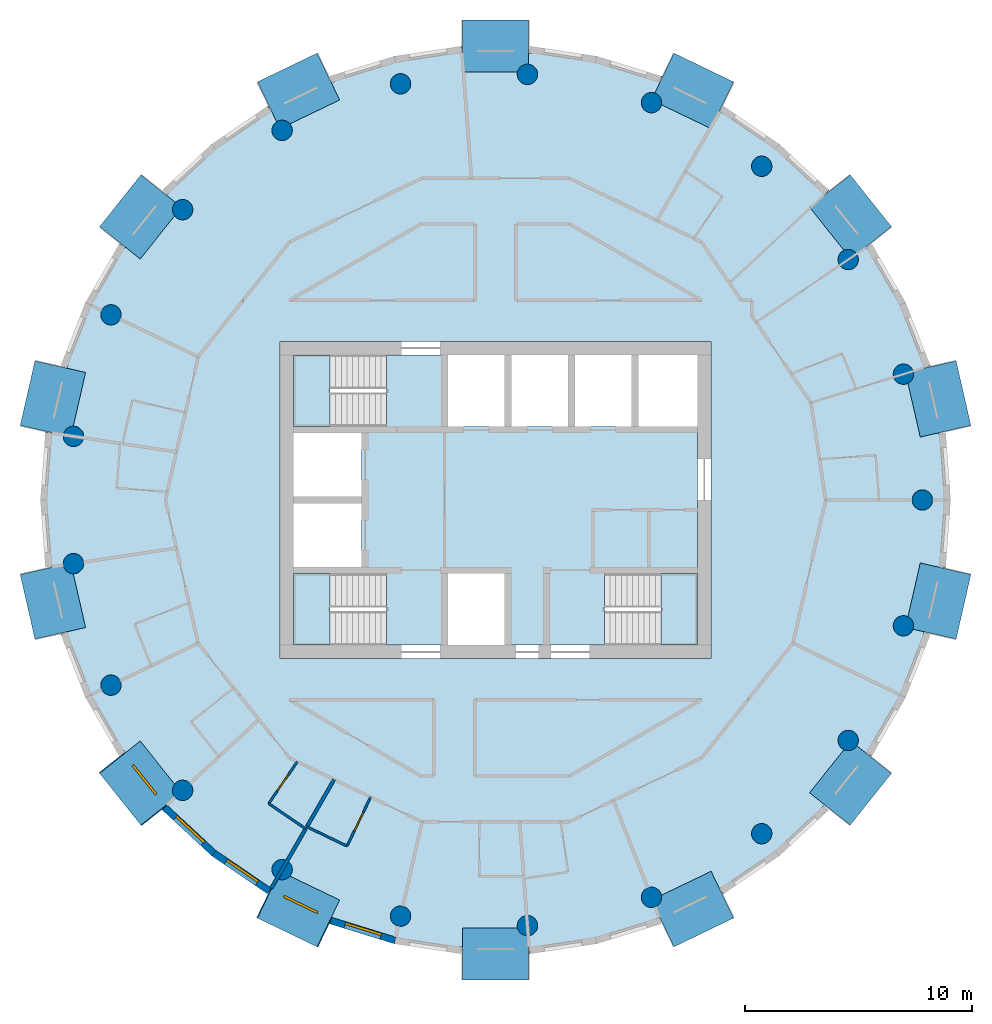
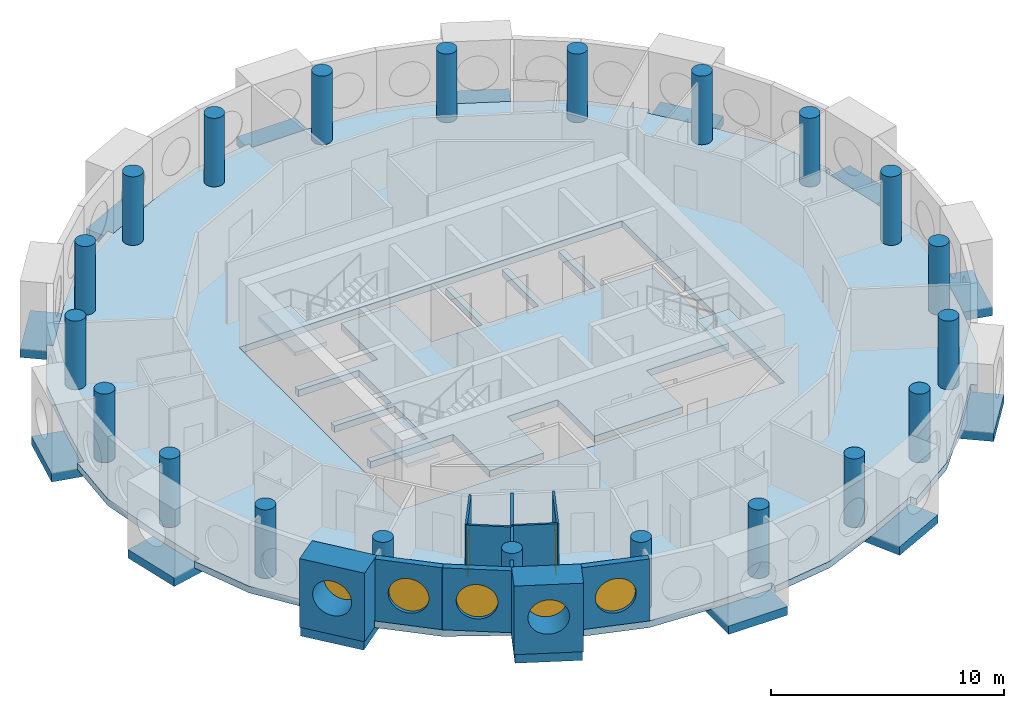
# One storey, part 1 of 12: 21 columns, 14 beams, 11 walls, 5 slabs, 5 windows, 2 doors, 7 openings, 3 elements without a shape of their own.
"""IFC4 building model written with IfcOpenShell, lengths in metres."""

from ifc_helpers import new_model, si_unit, direction, frame, frame_2d, origin, origin_2d, place, context, subcontext, project, spatial, polyline, rectangle, circle, outline, extrude, material, layer, layer_set, material_profile, profile_set, type_object, element, fill, aggregate, save


model = new_model("IFC4")

# Units and contexts
model_context = context("Model", 3, precision=1e-05, world=origin(), true_north=direction((0.0, 1.0)))
body_context = subcontext(model_context, "Body", "Model", "MODEL_VIEW")
ifc_project = project(units=[si_unit("LENGTHUNIT", "METRE"), si_unit("AREAUNIT", "SQUARE_METRE"), si_unit("VOLUMEUNIT", "CUBIC_METRE"), si_unit("PLANEANGLEUNIT", "RADIAN"), si_unit("MASSUNIT", "GRAM", prefix="KILO")], contexts=[model_context])

# Site, building, storey
site_placement = place(None, origin())
site = spatial("IfcSite", under=ifc_project, at=site_placement, CompositionType="ELEMENT")
building_placement = place(site_placement, origin())
building = spatial("IfcBuilding", under=site, at=building_placement, Name="Tracery Tower", CompositionType="ELEMENT")
storey_placement = place(building_placement, frame((0.0, 0.0, 283.800048828125)))
storey = spatial("IfcBuildingStorey", under=building, at=storey_placement, Name="L73", CompositionType="ELEMENT", Elevation=283.800048828125)

# Columns
ifc_material_1 = material(Name="Concrete C40/50", Category="concrete")
ifc_material_profile_1 = material_profile(ifc_material_1, circle(Radius=0.449951171875, at=origin_2d()), Name="RC D900")
ifc_profile_set_1 = profile_set([ifc_material_profile_1], Name="Concrete C40/50")
column_type = type_object("IfcColumnType", Name="Ring 2 column 900", PredefinedType="COLUMN", material=ifc_profile_set_1)
for number, where, z_axis, x_axis, name in (
    (1, (18.822265625, 0.0, 0.0), (0.0, 0.0, 1.0), (1.0, 0.0, 0.0), "Ring 2 column 00 at L73"),
    (2, (17.986083984375, 5.5478515625, 0.0), (0.0, 0.0, 1.0), (1.0, 0.0, 0.0), "Ring 2 column 01 at L73"),
    (3, (15.551513671875, 10.602783203125, 0.0), (0.0, 0.0, 1.0), (1.0, 0.0, 0.0), "Ring 2 column 02 at L73"),
    (4, (11.7353515625, 14.7158203125, 0.0), (0.0, 0.0, 1.0), (1.0, 0.0, 0.0), "Ring 2 column 03 at L73"),
    (5, (6.87646484375, 17.52099609375, 0.0), (0.0, 0.0, 1.0), (1.0, 0.0, 0.0), "Ring 2 column 04 at L73"),
    (6, (1.406494140625, 18.76953125, 0.0), (0.0, 0.0, 1.0), (1.0, 0.0, 0.0), "Ring 2 column 05 at L73"),
    (7, (-4.188232421875, 18.350341796875, 0.0), (0.0, 0.0, 1.0), (1.0, 0.0, 0.0), "Ring 2 column 06 at L73"),
    (8, (-9.4111328125, 16.300537109375, 0.0), (0.0, 0.0, 1.0), (1.0, 0.0, 0.0), "Ring 2 column 07 at L73"),
    (9, (-13.797607421875, 12.802490234375, 0.0), (0.0, 0.0, 1.0), (1.0, 0.0, 0.0), "Ring 2 column 08 at L73"),
    (10, (-16.958251953125, 8.16650390625, 0.0), (0.0, 0.0, 1.0), (1.0, 0.0, 0.0), "Ring 2 column 09 at L73"),
    (11, (-18.612060546875, 2.805419921875, 0.0), (0.0, 0.0, 1.0), (1.0, 0.0, 0.0), "Ring 2 column 10 at L73"),
    (12, (-18.612060546875, -2.805419921875, 0.0), (0.0, 0.0, 1.0), (1.0, 0.0, 0.0), "Ring 2 column 11 at L73"),
    (13, (-16.958251953125, -8.166748046875, 0.0), (0.0, 0.0, 1.0), (1.0, 0.0, 0.0), "Ring 2 column 12 at L73"),
    (14, (-13.797607421875, -12.80224609375, 0.0), (0.0, 0.0, 1.0), (1.0, 0.0, 0.0), "Ring 2 column 13 at L73"),
    (15, (-9.4111328125, -16.300537109375, 0.0), (0.0, 0.0, 1.0), (1.0, 0.0, 0.0), "Ring 2 column 14 at L73"),
    (16, (-4.188232421875, -18.350341796875, 0.0), (0.0, 0.0, 1.0), (1.0, 0.0, 0.0), "Ring 2 column 15 at L73"),
    (17, (1.406494140625, -18.76953125, 0.0), (0.0, 0.0, 1.0), (1.0, 0.0, 0.0), "Ring 2 column 16 at L73"),
    (18, (6.87646484375, -17.52099609375, 0.0), (0.0, 0.0, 1.0), (1.0, 0.0, 0.0), "Ring 2 column 17 at L73"),
    (19, (11.7353515625, -14.7158203125, 0.0), (0.0, 0.0, 1.0), (1.0, 0.0, 0.0), "Ring 2 column 18 at L73"),
    (20, (15.551513671875, -10.602783203125, 0.0), (0.0, 0.0, 1.0), (1.0, 0.0, 0.0), "Ring 2 column 19 at L73"),
    (21, (17.986083984375, -5.5478515625, 0.0), (0.0, 0.0, 1.0), (1.0, 0.0, 0.0), "Ring 2 column 20 at L73"),
):
    element("IfcColumn", number, at=place(storey_placement, frame(where, z_axis=z_axis, x_axis=x_axis)), inside=storey, type_object=column_type, Name=name, PredefinedType="COLUMN", context=body_context, shape_type="SweptSolid", body=[
        extrude(circle(Radius=0.449951171875, at=origin_2d()), origin(), (0.0, 0.0, 1.0), 3.599853515625),
    ])

# Beams
ifc_material_2 = material(Name="Concrete C40/50", Category="concrete")
ifc_material_profile_2 = material_profile(ifc_material_2, rectangle(XDim=2.2900390625, YDim=0.449951171875, at=origin_2d()), Name="RC 2290x450")
ifc_profile_set_2 = profile_set([ifc_material_profile_2], Name="Concrete C40/50")
beam_type = type_object("IfcBeamType", Name="Bay seat beam 2290 x 450", PredefinedType="BEAM", material=ifc_profile_set_2)
for number, where, z_axis, x_axis, name in (
    (22, (19.843994140625, 3.03173828125, -0.574951171875), (-0.222495588924, 0.974933696674, 0.0), (-0.974933696674, -0.222495588924, 0.0), "Bay seat beam 2 at L73"),
    (23, (16.5634765625, 11.341552734375, -0.574951171875), (-0.623480926504, 0.781838560244, 0.0), (-0.781838560244, -0.623480926504, 0.0), "Bay seat beam 5 at L73"),
):
    element("IfcBeam", number, at=place(storey_placement, frame(where, z_axis=z_axis, x_axis=x_axis)), inside=storey, type_object=beam_type, Name=name, PredefinedType="BEAM", context=body_context, shape_type="SweptSolid", body=[
        extrude(rectangle(XDim=2.2900390625, YDim=0.449951171875, at=origin_2d()), origin(), (0.0, 0.0, 1.0), 2.919921875),
    ])
beam_1_placement = place(storey_placement, frame((10.002197265625, 17.40478515625, -0.574951171875), z_axis=(-0.900950828926, 0.433921195446, 0.0), x_axis=(-0.433921195446, -0.900950828926, 0.0)))
element("IfcBeam", 24, at=beam_1_placement, inside=storey, type_object=beam_type, Name="Bay seat beam 8 at L73", PredefinedType="BEAM", context=body_context, shape_type="SweptSolid", body=[
    extrude(rectangle(XDim=2.2900390625, YDim=0.449951171875, at=origin_2d()), origin(), (0.0, 0.0, 1.0), 2.920166015625),
])
beam_2_placement = place(storey_placement, frame((1.4599609375, 20.02099609375, -0.574951171875), z_axis=(-1.0, 0.0, 0.0), x_axis=(0.0, -1.0, 0.0)))
element("IfcBeam", 25, at=beam_2_placement, inside=storey, type_object=beam_type, Name="Bay seat beam 11 at L73", PredefinedType="BEAM", context=body_context, shape_type="SweptSolid", body=[
    extrude(rectangle(XDim=2.2900390625, YDim=0.449951171875, at=origin_2d()), origin(), (0.0, 0.0, 1.0), 2.919921875),
])
beam_3_placement = place(storey_placement, frame((-7.371337890625, 18.671875, -0.574951171875), z_axis=(-0.900950828926, -0.433921195446, 0.0), x_axis=(0.433921195446, -0.900950828926, 0.0)))
element("IfcBeam", 26, at=beam_3_placement, inside=storey, type_object=beam_type, Name="Bay seat beam 14 at L73", PredefinedType="BEAM", context=body_context, shape_type="SweptSolid", body=[
    extrude(rectangle(XDim=2.2900390625, YDim=0.449951171875, at=origin_2d()), origin(), (0.0, 0.0, 1.0), 2.920166015625),
])
for number, where, z_axis, x_axis, name in (
    (27, (-14.742919921875, 13.62451171875, -0.574951171875), (-0.623480926504, -0.781838560244, 0.0), (0.781838560244, -0.623480926504, 0.0), "Bay seat beam 17 at L73"),
    (28, (-19.1943359375, 5.87841796875, -0.574951171875), (-0.222495588924, -0.974933696674, 0.0), (0.974933696674, -0.222495588924, 0.0), "Bay seat beam 20 at L73"),
    (29, (-19.843994140625, -3.03173828125, -0.574951171875), (0.222495588924, -0.974933696674, 0.0), (0.974933696674, 0.222495588924, 0.0), "Bay seat beam 23 at L73"),
    (30, (-16.5634765625, -11.341552734375, -0.574951171875), (0.623480926504, -0.781838560244, 0.0), (0.781838560244, 0.623480926504, 0.0), "Bay seat beam 26 at L73"),
):
    element("IfcBeam", number, at=place(storey_placement, frame(where, z_axis=z_axis, x_axis=x_axis)), inside=storey, type_object=beam_type, Name=name, PredefinedType="BEAM", context=body_context, shape_type="SweptSolid", body=[
        extrude(rectangle(XDim=2.2900390625, YDim=0.449951171875, at=origin_2d()), origin(), (0.0, 0.0, 1.0), 2.919921875),
    ])
beam_4_placement = place(storey_placement, frame((-10.002197265625, -17.40478515625, -0.574951171875), z_axis=(0.900950828926, -0.433921195446, 0.0), x_axis=(0.433921195446, 0.900950828926, 0.0)))
element("IfcBeam", 31, at=beam_4_placement, inside=storey, type_object=beam_type, Name="Bay seat beam 29 at L73", PredefinedType="BEAM", context=body_context, shape_type="SweptSolid", body=[
    extrude(rectangle(XDim=2.2900390625, YDim=0.449951171875, at=origin_2d()), origin(), (0.0, 0.0, 1.0), 2.920166015625),
])
beam_5_placement = place(storey_placement, frame((-1.4599609375, -20.02099609375, -0.574951171875), z_axis=(1.0, 0.0, 0.0), x_axis=(0.0, 1.0, 0.0)))
element("IfcBeam", 32, at=beam_5_placement, inside=storey, type_object=beam_type, Name="Bay seat beam 32 at L73", PredefinedType="BEAM", context=body_context, shape_type="SweptSolid", body=[
    extrude(rectangle(XDim=2.2900390625, YDim=0.449951171875, at=origin_2d()), origin(), (0.0, 0.0, 1.0), 2.919921875),
])
beam_6_placement = place(storey_placement, frame((7.371337890625, -18.671875, -0.574951171875), z_axis=(0.900950828926, 0.433921195446, 0.0), x_axis=(-0.433921195446, 0.900950828926, 0.0)))
element("IfcBeam", 33, at=beam_6_placement, inside=storey, type_object=beam_type, Name="Bay seat beam 35 at L73", PredefinedType="BEAM", context=body_context, shape_type="SweptSolid", body=[
    extrude(rectangle(XDim=2.2900390625, YDim=0.449951171875, at=origin_2d()), origin(), (0.0, 0.0, 1.0), 2.920166015625),
])
for number, where, z_axis, x_axis, name in (
    (34, (14.742919921875, -13.62451171875, -0.574951171875), (0.623480926504, 0.781838560244, 0.0), (-0.781838560244, 0.623480926504, 0.0), "Bay seat beam 38 at L73"),
    (35, (19.1943359375, -5.87841796875, -0.574951171875), (0.222495588924, 0.974933696674, 0.0), (-0.974933696674, 0.222495588924, 0.0), "Bay seat beam 41 at L73"),
):
    element("IfcBeam", number, at=place(storey_placement, frame(where, z_axis=z_axis, x_axis=x_axis)), inside=storey, type_object=beam_type, Name=name, PredefinedType="BEAM", context=body_context, shape_type="SweptSolid", body=[
        extrude(rectangle(XDim=2.2900390625, YDim=0.449951171875, at=origin_2d()), origin(), (0.0, 0.0, 1.0), 2.919921875),
    ])

# Slabs
ifc_material_3 = material(Name="Concrete C40/50", Category="concrete")
ifc_layer_1 = layer(ifc_material_3, 0.35009765625)
ifc_layer_set_1 = layer_set([ifc_layer_1], Name="Core floor slab 350 C40")
slab_type_1 = type_object("IfcSlabType", Name="Core floor slab 350 C40", PredefinedType="FLOOR", material=ifc_layer_set_1)
slab_1_placement = place(storey_placement, frame((0.0, 0.0, -0.35009765625)))
element("IfcSlab", 36, at=slab_1_placement, inside=storey, type_object=slab_type_1, Name="L73 core floor 1", PredefinedType="FLOOR", context=body_context, shape_type="SweptSolid", body=[
    extrude(outline(polyline([(-4.800537109375, -3.25), (-8.89990234375, -3.25), (-8.89990234375, -2.949951171875), (-5.89990234375, -2.949951171875), (-5.89990234375, -0.14990234375), (-8.89990234375, -0.14990234375), (-8.89990234375, 0.14990234375), (-5.89990234375, 0.14990234375), (-5.89990234375, 2.949951171875), (-8.89990234375, 2.949951171875), (-8.89990234375, 3.25), (-4.800537109375, 3.25), (-4.800537109375, 6.39990234375), (-2.10009765625, 6.39990234375), (-2.10009765625, 3.25), (0.39990234375, 3.25), (0.39990234375, 6.39990234375), (0.699951171875, 6.39990234375), (0.699951171875, 3.25), (3.199951171875, 3.25), (3.199951171875, 6.39990234375), (3.5, 6.39990234375), (3.5, 3.25), (6.0, 3.25), (6.0, 6.39990234375), (6.300048828125, 6.39990234375), (6.300048828125, 3.25), (8.89990234375, 3.25), (8.89990234375, -3.25), (4.800537109375, -3.25), (4.800537109375, -6.39990234375), (0.39990234375, -6.39990234375), (0.39990234375, -3.25), (-2.10009765625, -3.25), (-2.10009765625, -6.39990234375), (-4.800537109375, -6.39990234375), (-4.800537109375, -3.25)])), origin(), (0.0, 0.0, 1.0), 0.35009765625),
])
ifc_material_4 = material(Name="Concrete C40/50", Category="concrete")
ifc_layer_2 = layer(ifc_material_4, 0.35009765625)
ifc_layer_set_2 = layer_set([ifc_layer_2], Name="Floor slab 350")
slab_type_2 = type_object("IfcSlabType", Name="Floor slab 350", PredefinedType="FLOOR", material=ifc_layer_set_2)
slab_2_placement = place(storey_placement, frame((0.0, 0.0, -0.35009765625)))
element("IfcSlab", 37, at=slab_2_placement, inside=storey, type_object=slab_type_2, Name="Floor slab L73", PredefinedType="FLOOR", context=body_context, shape_type="SweptSolid", body=[
    extrude(outline(polyline([(19.243408203125, 4.291748046875), (18.887939453125, 5.849609375), (19.18017578125, 5.916259765625), (19.180419921875, 5.91650390625), (18.08447265625, 8.708984375), (16.336181640625, 11.13720703125), (15.6845703125, 11.954345703125), (14.493408203125, 13.447998046875), (14.493408203125, 13.447998046875), (14.4794921875, 13.465576171875), (14.7138671875, 13.652587890625), (14.714111328125, 13.652587890625), (12.514892578125, 15.693115234375), (9.885986328125, 17.122314453125), (9.227294921875, 17.439697265625), (7.223388671875, 18.404541015625), (7.223388671875, 18.404541015625), (7.202880859375, 18.414306640625), (7.333251953125, 18.6845703125), (7.333251953125, 18.684814453125), (4.466552734375, 19.56884765625), (1.47802734375, 19.716064453125), (-1.5, 19.716064453125), (-1.5, 20.01611328125), (-1.5, 20.01611328125), (-4.466552734375, 19.56884765625), (-7.223388671875, 18.404541015625), (-9.227294921875, 17.439697265625), (-9.906005859375, 17.11279296875), (-10.035888671875, 17.3828125), (-10.0361328125, 17.383056640625), (-12.514892578125, 15.693115234375), (-14.493408203125, 13.447998046875), (-15.6845703125, 11.954345703125), (-16.349853515625, 11.1201171875), (-16.58447265625, 11.30712890625), (-18.08447265625, 8.708984375), (-18.892822265625, 5.828125), (-19.243408203125, 4.291748046875), (-19.550537109375, 2.94677734375), (-19.550537109375, 2.94677734375), (-19.555419921875, 2.9248046875), (-19.847900390625, 2.99169921875), (-19.847900390625, 2.99169921875), (-20.072265625, 0.0), (-19.550537109375, -2.94677734375), (-19.243408203125, -4.291748046875), (-18.887939453125, -5.849609375), (-19.18017578125, -5.916259765625), (-19.180419921875, -5.91650390625), (-18.08447265625, -8.708984375), (-16.336181640625, -11.13720703125), (-15.6845703125, -11.954345703125), (-14.493408203125, -13.447998046875), (-14.493408203125, -13.447998046875), (-14.4794921875, -13.465576171875), (-14.7138671875, -13.652587890625), (-14.714111328125, -13.652587890625), (-12.514892578125, -15.693115234375), (-9.885986328125, -17.122314453125), (-9.227294921875, -17.439697265625), (-7.223388671875, -18.404541015625), (-7.223388671875, -18.404541015625), (-7.202880859375, -18.414306640625), (-7.333251953125, -18.6845703125), (-7.333251953125, -18.684814453125), (-4.466552734375, -19.56884765625), (-1.47802734375, -19.716064453125), (1.5, -19.716064453125), (1.5, -20.01611328125), (1.5, -20.01611328125), (4.466552734375, -19.56884765625), (7.223388671875, -18.404541015625), (9.227294921875, -17.439697265625), (9.906005859375, -17.11279296875), (10.035888671875, -17.3828125), (10.0361328125, -17.383056640625), (12.514892578125, -15.693115234375), (14.493408203125, -13.447998046875), (15.6845703125, -11.954345703125), (16.349853515625, -11.1201171875), (16.58447265625, -11.30712890625), (18.08447265625, -8.708984375), (18.892822265625, -5.828125), (19.243408203125, -4.291748046875), (19.550537109375, -2.94677734375), (19.550537109375, -2.94677734375), (19.555419921875, -2.9248046875), (19.847900390625, -2.99169921875), (19.847900390625, -2.99169921875), (20.072265625, 0.0), (19.550537109375, 2.94677734375), (19.243408203125, 4.291748046875)]), holes=[polyline([(-9.5, -7.0), (9.5, -7.0), (9.5, 7.0), (-9.5, 7.0), (-9.5, -7.0)])]), origin(), (0.0, 0.0, 1.0), 0.35009765625),
])

# Stair, slab
ifc_material_5 = material(Name="Concrete C32/40", Category="concrete")
stair_type = type_object("IfcStairType", Name="Core stair 22 risers", PredefinedType="HALF_TURN_STAIR", material=ifc_material_5)
stair_1_placement = place(storey_placement, origin())
stair_1 = element("IfcStair", 38, at=stair_1_placement, inside=storey, type_object=stair_type, Name="L73 stair ST1", PredefinedType="HALF_TURN_STAIR")
ifc_material_6 = material(Name="Concrete C32/40", Category="concrete")
ifc_layer_3 = layer(ifc_material_6, 0.199951171875)
ifc_layer_set_3 = layer_set([ifc_layer_3], Name="Stair landing slab 200")
slab_type_3 = type_object("IfcSlabType", Name="Stair landing slab 200", PredefinedType="LANDING", material=ifc_layer_set_3)
slab_3_placement = place(storey_placement, frame((0.0, 0.0, 1.599853515625)))
slab_3 = element("IfcSlab", 39, at=slab_3_placement, type_object=slab_type_3, Name="ST1 landing 1", PredefinedType="LANDING", context=body_context, shape_type="SweptSolid", body=[
    extrude(outline(polyline([(-7.29931640625, -3.25), (-8.89990234375, -3.25), (-8.89990234375, -6.39990234375), (-7.29931640625, -6.39990234375), (-7.29931640625, -3.25)])), origin(), (0.0, 0.0, 1.0), 0.2001953125),
])
aggregate(stair_1, [slab_3])

stair_2_placement = place(storey_placement, origin())
stair_2 = element("IfcStair", 40, at=stair_2_placement, inside=storey, type_object=stair_type, Name="L73 stair ST3", PredefinedType="HALF_TURN_STAIR")
slab_4_placement = place(storey_placement, frame((0.0, 0.0, 1.599853515625)))
slab_4 = element("IfcSlab", 41, at=slab_4_placement, type_object=slab_type_3, Name="ST3 landing 1", PredefinedType="LANDING", context=body_context, shape_type="SweptSolid", body=[
    extrude(outline(polyline([(-7.29931640625, 6.39990234375), (-8.89990234375, 6.39990234375), (-8.89990234375, 3.25), (-7.29931640625, 3.25), (-7.29931640625, 6.39990234375)])), origin(), (0.0, 0.0, 1.0), 0.2001953125),
])
aggregate(stair_2, [slab_4])

stair_3_placement = place(storey_placement, origin())
stair_3 = element("IfcStair", 42, at=stair_3_placement, inside=storey, type_object=stair_type, Name="L73 stair ST2", PredefinedType="HALF_TURN_STAIR")
slab_5_placement = place(storey_placement, frame((0.0, 0.0, 1.599853515625)))
slab_5 = element("IfcSlab", 43, at=slab_5_placement, type_object=slab_type_3, Name="ST2 landing 1", PredefinedType="LANDING", context=body_context, shape_type="SweptSolid", body=[
    extrude(outline(polyline([(7.29931640625, -6.39990234375), (8.89990234375, -6.39990234375), (8.89990234375, -3.25), (7.29931640625, -3.25), (7.29931640625, -6.39990234375)])), origin(), (0.0, 0.0, 1.0), 0.2001953125),
])
aggregate(stair_3, [slab_5])

# Wall, opening, window
ifc_material_7 = material(Name="Precast concrete C50/60", Category="concrete")
ifc_layer_4 = layer(ifc_material_7, 1.449951171875)
ifc_layer_set_4 = layer_set([ifc_layer_4], Name="Deep-set bay unit 3000 x 3600, slab edge 350")
wall_type_1 = type_object("IfcWallType", Name="Deep-set bay unit 3000 x 3600, slab edge 350", PredefinedType="ELEMENTEDWALL", material=ifc_layer_set_4)
wall_1_placement = place(storey_placement, frame((-16.916748046875, -11.572021484375, -0.35009765625), z_axis=(0.0, 0.0, 1.0), x_axis=(0.623523286312, -0.781804778335, 0.0)))
wall_1 = element("IfcWall", 44, at=wall_1_placement, inside=storey, type_object=wall_type_1, Name="Deep-set bay unit 26 at L73", PredefinedType="ELEMENTEDWALL", context=body_context, shape_type="SweptSolid", body=[
    extrude(rectangle(XDim=3.0, YDim=1.449951171875, at=frame_2d((1.5, 0.0))), origin(), (0.0, 0.0, 1.0), 3.60009765625),
])
opening_1_placement = place(wall_1_placement, frame((1.5, 0.0, 1.89990234375)))
opening_1 = element("IfcOpeningElement", 45, at=opening_1_placement, cuts=wall_1, Name="Opening WN1", PredefinedType="OPENING", context=body_context, shape_type="SweptSolid", body=[
    extrude(circle(Radius=0.9000244140625, at=origin_2d()), frame((0.0, 0.73486328125, 0.0), z_axis=(0.0, -1.0, 0.0), x_axis=(1.0, 0.0, 0.0)), (0.0, 0.0, 1.0), 1.469970703125),
])
ifc_material_8 = material(Name="Aluminium frame with tinted double glazing", Category="aluminium")
window_type = type_object("IfcWindowType", Name="Round window 1800", PartitioningType="SINGLE_PANEL", PredefinedType="WINDOW", material=ifc_material_8)
window_1_placement = place(opening_1_placement, origin())
window_1 = element("IfcWindow", 46, at=window_1_placement, inside=storey, type_object=window_type, Name="Round window 26 at L73", OverallHeight=1.800048828125, OverallWidth=1.800048828125, PartitioningType="SINGLE_PANEL", PredefinedType="WINDOW", context=body_context, shape_type="SweptSolid", body=[
    extrude(circle(Radius=0.9000244140625, at=origin_2d()), frame((0.0, 0.69482421875, 0.0), z_axis=(0.0, -1.0, 0.0), x_axis=(1.0, 0.0, 0.0)), (0.0, 0.0, 1.0), 0.10009765625),
])
fill(opening_1, window_1)

wall_2_placement = place(storey_placement, frame((-10.220458984375, -17.765869140625, -0.35009765625), z_axis=(0.0, 0.0, 1.0), x_axis=(0.900953362039, -0.433915935904, 0.0)))
wall_2 = element("IfcWall", 47, at=wall_2_placement, inside=storey, type_object=wall_type_1, Name="Deep-set bay unit 29 at L73", PredefinedType="ELEMENTEDWALL", context=body_context, shape_type="SweptSolid", body=[
    extrude(rectangle(XDim=3.0, YDim=1.449951171875, at=frame_2d((1.5, 0.0))), origin(), (0.0, 0.0, 1.0), 3.60009765625),
])
opening_2_placement = place(wall_2_placement, frame((1.5, 0.0, 1.89990234375)))
opening_2 = element("IfcOpeningElement", 48, at=opening_2_placement, cuts=wall_2, Name="Opening WN1", PredefinedType="OPENING", context=body_context, shape_type="SweptSolid", body=[
    extrude(circle(Radius=0.9000244140625, at=origin_2d()), frame((0.0, 0.73486328125, 0.0), z_axis=(0.0, -1.0, 0.0), x_axis=(1.0, 0.0, 0.0)), (0.0, 0.0, 1.0), 1.469970703125),
])
window_2_placement = place(opening_2_placement, origin())
window_2 = element("IfcWindow", 49, at=window_2_placement, inside=storey, type_object=window_type, Name="Round window 29 at L73", OverallHeight=1.800048828125, OverallWidth=1.800048828125, PartitioningType="SINGLE_PANEL", PredefinedType="WINDOW", context=body_context, shape_type="SweptSolid", body=[
    extrude(circle(Radius=0.9000244140625, at=origin_2d()), frame((0.0, 0.69482421875, 0.0), z_axis=(0.0, -1.0, 0.0), x_axis=(1.0, 0.0, 0.0)), (0.0, 0.0, 1.0), 0.10009765625),
])
fill(opening_2, window_2)

ifc_material_9 = material(Name="Precast concrete C50/60", Category="concrete")
ifc_layer_5 = layer(ifc_material_9, 0.300048828125)
ifc_layer_set_5 = layer_set([ifc_layer_5], Name="Facade panel 3000 x 3250")
wall_type_2 = type_object("IfcWallType", Name="Facade panel 3000 x 3250", PredefinedType="SOLIDWALL", material=ifc_layer_set_5)
wall_3_placement = place(storey_placement, frame((-14.592529296875, -13.560546875, 0.0), z_axis=(0.0, 0.0, 1.0), x_axis=(0.733028283666, -0.680198158882, 0.0)))
wall_3 = element("IfcWall", 50, at=wall_3_placement, inside=storey, type_object=wall_type_2, Name="Facade panel 27 at L73", PredefinedType="SOLIDWALL", context=body_context, shape_type="SweptSolid", body=[
    extrude(rectangle(XDim=2.962158203125, YDim=0.300048828125, at=frame_2d((1.48095703125, 0.0))), origin(), (0.0, 0.0, 1.0), 3.25),
])
opening_3_placement = place(wall_3_placement, frame((1.48095703125, 0.0, 1.5498046875)))
opening_3 = element("IfcOpeningElement", 51, at=opening_3_placement, cuts=wall_3, Name="Opening WN1", PredefinedType="OPENING", context=body_context, shape_type="SweptSolid", body=[
    extrude(circle(Radius=0.9000244140625, at=origin_2d()), frame((0.0, 0.159912109375, 0.0), z_axis=(0.0, -1.0, 0.0), x_axis=(1.0, 0.0, 0.0)), (0.0, 0.0, 1.0), 0.320068359375),
])
window_3_placement = place(opening_3_placement, origin())
window_3 = element("IfcWindow", 52, at=window_3_placement, inside=storey, type_object=window_type, Name="Round window 27 at L73", OverallHeight=1.800048828125, OverallWidth=1.800048828125, PartitioningType="SINGLE_PANEL", PredefinedType="WINDOW", context=body_context, shape_type="SweptSolid", body=[
    extrude(circle(Radius=0.9000244140625, at=origin_2d()), frame((0.0, 0.1201171875, 0.0), z_axis=(0.0, -1.0, 0.0), x_axis=(1.0, 0.0, 0.0)), (0.0, 0.0, 1.0), 0.10009765625),
])
fill(opening_3, window_3)

wall_4_placement = place(storey_placement, frame((-12.421142578125, -15.575439453125, 0.0), z_axis=(0.0, 0.0, 1.0), x_axis=(0.826236061068, -0.563324037646, 0.0)))
wall_4 = element("IfcWall", 53, at=wall_4_placement, inside=storey, type_object=wall_type_2, Name="Facade panel 28 at L73", PredefinedType="SOLIDWALL", context=body_context, shape_type="SweptSolid", body=[
    extrude(rectangle(XDim=2.962158203125, YDim=0.300048828125, at=frame_2d((1.48095703125, 0.0))), origin(), (0.0, 0.0, 1.0), 3.25),
])
opening_4_placement = place(wall_4_placement, frame((1.48095703125, 0.0, 1.5498046875)))
opening_4 = element("IfcOpeningElement", 54, at=opening_4_placement, cuts=wall_4, Name="Opening WN1", PredefinedType="OPENING", context=body_context, shape_type="SweptSolid", body=[
    extrude(circle(Radius=0.9000244140625, at=origin_2d()), frame((0.0, 0.159912109375, 0.0), z_axis=(0.0, -1.0, 0.0), x_axis=(1.0, 0.0, 0.0)), (0.0, 0.0, 1.0), 0.320068359375),
])
window_4_placement = place(opening_4_placement, origin())
window_4 = element("IfcWindow", 55, at=window_4_placement, inside=storey, type_object=window_type, Name="Round window 28 at L73", OverallHeight=1.800048828125, OverallWidth=1.800048828125, PartitioningType="SINGLE_PANEL", PredefinedType="WINDOW", context=body_context, shape_type="SweptSolid", body=[
    extrude(circle(Radius=0.9000244140625, at=origin_2d()), frame((0.0, 0.1201171875, 0.0), z_axis=(0.0, -1.0, 0.0), x_axis=(1.0, 0.0, 0.0)), (0.0, 0.0, 1.0), 0.10009765625),
])
fill(opening_4, window_4)

wall_5_placement = place(storey_placement, frame((-7.263671875, -18.549072265625, 0.0), z_axis=(0.0, 0.0, 1.0), x_axis=(0.955555982805, -0.29480970765, 0.0)))
wall_5 = element("IfcWall", 56, at=wall_5_placement, inside=storey, type_object=wall_type_2, Name="Facade panel 30 at L73", PredefinedType="SOLIDWALL", context=body_context, shape_type="SweptSolid", body=[
    extrude(rectangle(XDim=2.962158203125, YDim=0.300048828125, at=frame_2d((1.48095703125, 0.0))), origin(), (0.0, 0.0, 1.0), 3.25),
])
opening_5_placement = place(wall_5_placement, frame((1.48095703125, 0.0, 1.5498046875)))
opening_5 = element("IfcOpeningElement", 57, at=opening_5_placement, cuts=wall_5, Name="Opening WN1", PredefinedType="OPENING", context=body_context, shape_type="SweptSolid", body=[
    extrude(circle(Radius=0.9000244140625, at=origin_2d()), frame((0.0, 0.159912109375, 0.0), z_axis=(0.0, -1.0, 0.0), x_axis=(1.0, 0.0, 0.0)), (0.0, 0.0, 1.0), 0.320068359375),
])
window_5_placement = place(opening_5_placement, origin())
window_5 = element("IfcWindow", 58, at=window_5_placement, inside=storey, type_object=window_type, Name="Round window 30 at L73", OverallHeight=1.800048828125, OverallWidth=1.800048828125, PartitioningType="SINGLE_PANEL", PredefinedType="WINDOW", context=body_context, shape_type="SweptSolid", body=[
    extrude(circle(Radius=0.9000244140625, at=origin_2d()), frame((0.0, 0.1201171875, 0.0), z_axis=(0.0, -1.0, 0.0), x_axis=(1.0, 0.0, 0.0)), (0.0, 0.0, 1.0), 0.10009765625),
])
fill(opening_5, window_5)

# Wall, opening, door
ifc_material_10 = material(Name="Plasterboard on steel studs", Category="steel")
ifc_layer_6 = layer(ifc_material_10, 0.10009765625)
ifc_layer_set_6 = layer_set([ifc_layer_6], Name="Partition 100 wet wall")
wall_type_3 = type_object("IfcWallType", Name="Partition 100 wet wall", PredefinedType="PARTITIONING", material=ifc_layer_set_6)
wall_6_placement = place(storey_placement, frame((-10.001953125, -13.386962890625, 0.0), z_axis=(0.0, 0.0, 1.0), x_axis=(0.563469042551, 0.826137178734, 0.0)))
wall_6 = element("IfcWall", 59, at=wall_6_placement, inside=storey, type_object=wall_type_3, Name="Wet wall RC6-073", PredefinedType="PARTITIONING", context=body_context, shape_type="SweptSolid", body=[
    extrude(rectangle(XDim=2.234375, YDim=0.10009765625, at=frame_2d((1.1171875, 0.0))), origin(), (0.0, 0.0, 1.0), 3.25),
])
opening_6_placement = place(wall_6_placement, frame((0.66748046875, 0.0, 0.0)))
opening_6 = element("IfcOpeningElement", 60, at=opening_6_placement, cuts=wall_6, Name="Opening RC6-22", PredefinedType="OPENING", context=body_context, shape_type="SweptSolid", body=[
    extrude(rectangle(XDim=0.89990234375, YDim=2.0400390625, at=frame_2d((0.449951171875, 1.02001953125))), frame((0.0, 0.050048828125, 0.0), z_axis=(0.0, -1.0, 0.0), x_axis=(1.0, 0.0, 0.0)), (0.0, 0.0, 1.0), 0.10009765625),
])
ifc_material_11 = material(Name="Timber door leaf", Category="wood")
door_type = type_object("IfcDoorType", Name="Door en-suite 900", OperationType="NOTDEFINED", PredefinedType="DOOR", material=ifc_material_11)
door_1_placement = place(opening_6_placement, origin())
door_1 = element("IfcDoor", 61, at=door_1_placement, inside=storey, type_object=door_type, Name="En-suite door RC6-22", OperationType="SINGLE_SWING_LEFT", OverallHeight=2.0400390625, OverallWidth=0.89990234375, PredefinedType="DOOR", context=body_context, shape_type="SweptSolid", body=[
    extrude(rectangle(XDim=0.89990234375, YDim=2.0400390625, at=frame_2d((0.449951171875, 1.02001953125))), frame((0.0, 0.02490234375, 0.0), z_axis=(0.0, -1.0, 0.0), x_axis=(1.0, 0.0, 0.0)), (0.0, 0.0, 1.0), 0.050048828125),
])
fill(opening_6, door_1)

# Walls
wall_7_placement = place(storey_placement, frame((-10.001953125, -13.386962890625, 0.0), z_axis=(0.0, 0.0, 1.0), x_axis=(0.82620117489, -0.563375202339, 0.0)))
element("IfcWall", 62, at=wall_7_placement, inside=storey, type_object=wall_type_3, Name="Wet wall RC6-074", PredefinedType="PARTITIONING", context=body_context, shape_type="SweptSolid", body=[
    extrude(rectangle(XDim=1.973876953125, YDim=0.10009765625, at=frame_2d((0.98681640625, 0.0))), origin(), (0.0, 0.0, 1.0), 3.25),
])
wall_8_placement = place(storey_placement, frame((-8.319091796875, -14.408935546875, 0.0), z_axis=(0.0, 0.0, 1.0), x_axis=(0.900936932599, -0.433950047216, 0.0)))
element("IfcWall", 63, at=wall_8_placement, inside=storey, type_object=wall_type_3, Name="Wet wall RC6-077", PredefinedType="PARTITIONING", context=body_context, shape_type="SweptSolid", body=[
    extrude(rectangle(XDim=1.9658203125, YDim=0.10009765625, at=frame_2d((0.98291015625, 0.0))), origin(), (0.0, 0.0, 1.0), 3.25),
])

# Wall, opening, door
wall_9_placement = place(storey_placement, frame((-6.548095703125, -15.261962890625, 0.0), z_axis=(0.0, 0.0, 1.0), x_axis=(0.433855388624, 0.900982520231, 0.0)))
wall_9 = element("IfcWall", 64, at=wall_9_placement, inside=storey, type_object=wall_type_3, Name="Wet wall RC6-078", PredefinedType="PARTITIONING", context=body_context, shape_type="SweptSolid", body=[
    extrude(rectangle(XDim=2.3994140625, YDim=0.10009765625, at=frame_2d((1.19970703125, 0.0))), origin(), (0.0, 0.0, 1.0), 3.25),
])
opening_7_placement = place(wall_9_placement, frame((0.75, 0.0, 0.0)))
opening_7 = element("IfcOpeningElement", 65, at=opening_7_placement, cuts=wall_9, Name="Opening RC6-24", PredefinedType="OPENING", context=body_context, shape_type="SweptSolid", body=[
    extrude(rectangle(XDim=0.89990234375, YDim=2.0400390625, at=frame_2d((0.449951171875, 1.02001953125))), frame((0.0, 0.050048828125, 0.0), z_axis=(0.0, -1.0, 0.0), x_axis=(1.0, 0.0, 0.0)), (0.0, 0.0, 1.0), 0.10009765625),
])
door_2_placement = place(opening_7_placement, origin())
door_2 = element("IfcDoor", 66, at=door_2_placement, inside=storey, type_object=door_type, Name="En-suite door RC6-24", OperationType="SINGLE_SWING_RIGHT", OverallHeight=2.0400390625, OverallWidth=0.89990234375, PredefinedType="DOOR", context=body_context, shape_type="SweptSolid", body=[
    extrude(rectangle(XDim=0.89990234375, YDim=2.0400390625, at=frame_2d((0.449951171875, 1.02001953125))), frame((0.0, 0.02490234375, 0.0), z_axis=(0.0, -1.0, 0.0), x_axis=(1.0, 0.0, 0.0)), (0.0, 0.0, 1.0), 0.050048828125),
])
fill(opening_7, door_2)

# Walls
ifc_material_12 = material(Name="Plasterboard on steel studs", Category="steel")
ifc_layer_7 = layer(ifc_material_12, 0.14990234375)
ifc_layer_set_7 = layer_set([ifc_layer_7], Name="Partition 150 acoustic unit wall")
wall_type_4 = type_object("IfcWallType", Name="Partition 150 acoustic unit wall", PredefinedType="PARTITIONING", material=ifc_layer_set_7)
wall_10_placement = place(storey_placement, frame((-9.885986328125, -17.1220703125, 0.0), z_axis=(0.0, 0.0, 1.0), x_axis=(0.500117793536, 0.865957384972, 0.0)))
element("IfcWall", 67, at=wall_10_placement, inside=storey, type_object=wall_type_4, Name="Unit wall RC6-075", PredefinedType="PARTITIONING", context=body_context, shape_type="SweptSolid", body=[
    extrude(rectangle(XDim=3.029052734375, YDim=0.14990234375, at=frame_2d((1.5146484375, 0.0))), origin(), (0.0, 0.0, 1.0), 3.25),
])
wall_11_placement = place(storey_placement, frame((-8.321044921875, -14.412109375, 0.0), z_axis=(0.0, 0.0, 1.0), x_axis=(0.500017667814, 0.866015203027, 0.0)))
element("IfcWall", 68, at=wall_11_placement, inside=storey, type_object=wall_type_4, Name="Unit wall RC6-076", PredefinedType="PARTITIONING", context=body_context, shape_type="SweptSolid", body=[
    extrude(rectangle(XDim=2.41015625, YDim=0.14990234375, at=frame_2d((1.205078125, 0.0))), origin(), (0.0, 0.0, 1.0), 3.25),
])

save(model, "model.ifc")
